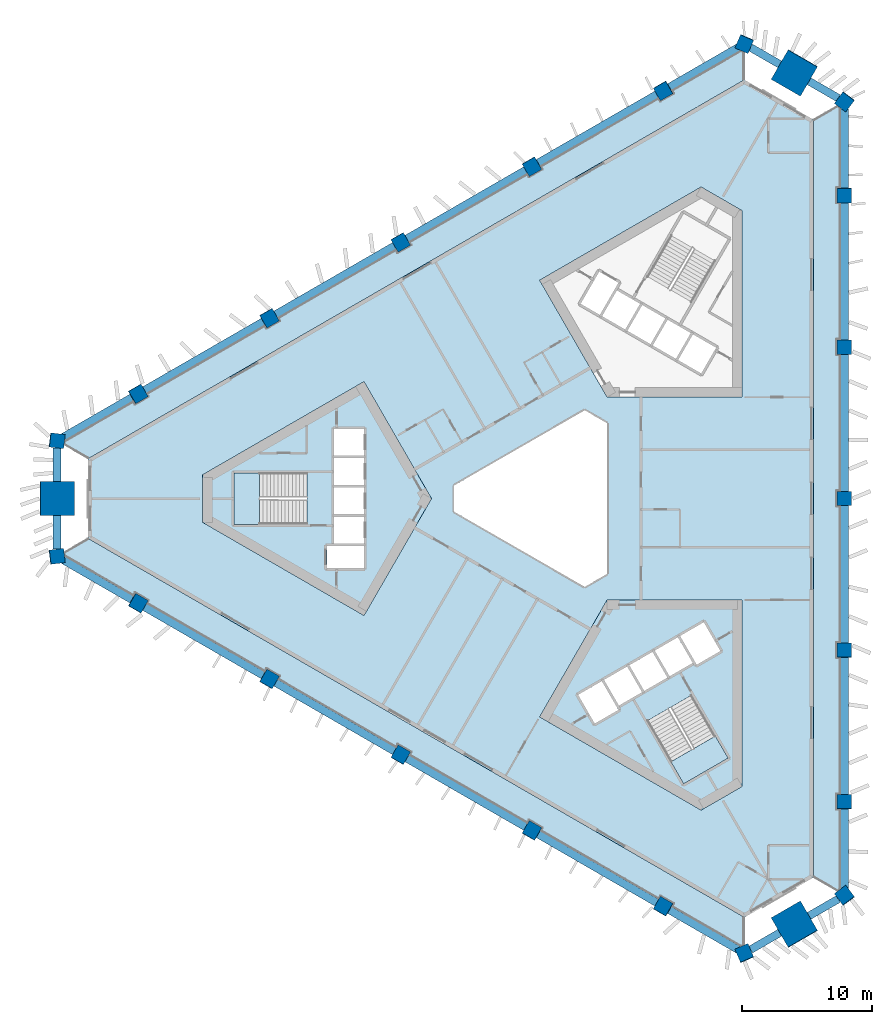
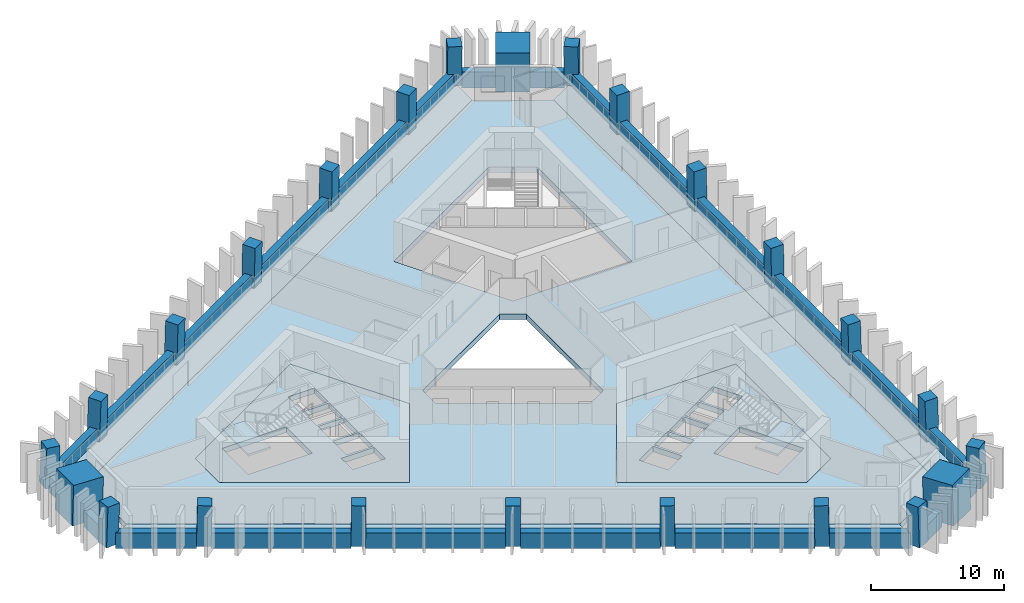
# One storey, part 1 of 9: 24 beams, 24 columns, 8 slabs, 2 elements without a shape of their own.
"""IFC4 building model written with IfcOpenShell, lengths in metres."""

from ifc_helpers import new_model, si_unit, direction, frame, origin, origin_2d, place, context, subcontext, project, spatial, polyline, rectangle, outline, extrude, material, layer, layer_set, material_profile, profile_set, type_object, element, aggregate, save


model = new_model("IFC4")

# Units and contexts
model_context = context("Model", 3, precision=1e-05, world=origin(), true_north=direction((0.0, 1.0)))
body_context = subcontext(model_context, "Body", "Model", "MODEL_VIEW")
ifc_project = project(units=[si_unit("LENGTHUNIT", "METRE"), si_unit("AREAUNIT", "SQUARE_METRE"), si_unit("VOLUMEUNIT", "CUBIC_METRE"), si_unit("PLANEANGLEUNIT", "RADIAN"), si_unit("MASSUNIT", "GRAM", prefix="KILO")], contexts=[model_context])

# Site, building, storey
site_placement = place(None, origin())
site = spatial("IfcSite", under=ifc_project, at=site_placement, CompositionType="ELEMENT")
building_placement = place(site_placement, origin())
building = spatial("IfcBuilding", under=site, at=building_placement, Name="Jabali Bay Hotel Tower and Convention Centre", CompositionType="ELEMENT")
storey_placement = place(building_placement, frame((0.0, 0.0, 94.300048828125)))
storey = spatial("IfcBuildingStorey", under=building, at=storey_placement, Name="L22", CompositionType="ELEMENT", Elevation=94.300048828125)

# Columns
ifc_material_1 = material(Name="Concrete C60", Category="concrete")
ifc_material_profile_1 = material_profile(ifc_material_1, rectangle(XDim=1.10009765625, YDim=1.10009765625, at=origin_2d()), Name="Frame column 1100")
ifc_profile_set_1 = profile_set([ifc_material_profile_1], Name="Concrete C60")
column_type_1 = type_object("IfcColumnType", Name="Frame column 1100", PredefinedType="COLUMN", material=ifc_profile_set_1)
column_1_placement = place(storey_placement, frame((83.81005859375, 111.35791015625, 0.0), z_axis=(-0.00837646992, -0.028097450282, 0.999570091609), x_axis=(0.86617163682, 0.499292783589, 0.021293469065)))
element("IfcColumn", 1, at=column_1_placement, inside=storey, type_object=column_type_1, Name="FC2 F1.1 L22", PredefinedType="COLUMN", context=body_context, shape_type="SweptSolid", body=[
    extrude(rectangle(XDim=1.10009765625, YDim=1.10009765625, at=origin_2d()), origin(), (0.0, 0.0, 1.0), 3.70166015625),
])
column_2_placement = place(storey_placement, frame((73.717041015625, 105.53076171875, 0.0), z_axis=(0.000857580205, -0.022758859284, 0.9997406158), x_axis=(0.866011739863, 0.499910502484, 0.010637477449)))
element("IfcColumn", 2, at=column_2_placement, inside=storey, type_object=column_type_1, Name="FC2 F1.2 L22", PredefinedType="COLUMN", context=body_context, shape_type="SweptSolid", body=[
    extrude(rectangle(XDim=1.10009765625, YDim=1.10009765625, at=origin_2d()), origin(), (0.0, 0.0, 1.0), 3.700927734375),
])
column_3_placement = place(storey_placement, frame((63.6240234375, 99.70361328125, 0.0), z_axis=(0.010093620709, -0.017482414954, 0.999796221231), x_axis=(-0.499887049639, 0.865855312158, 0.020187025821)))
element("IfcColumn", 3, at=column_3_placement, inside=storey, type_object=column_type_1, Name="FC2 F1.3 L22", PredefinedType="COLUMN", context=body_context, shape_type="SweptSolid", body=[
    extrude(rectangle(XDim=1.10009765625, YDim=1.10009765625, at=origin_2d()), origin(), (0.0, 0.0, 1.0), 3.70068359375),
])
column_4_placement = place(storey_placement, frame((53.53125, 93.87646484375, 0.0), z_axis=(0.019262573858, -0.012138060239, 0.999740776773), x_axis=(-0.498875311913, 0.866439920689, 0.020131741108)))
element("IfcColumn", 4, at=column_4_placement, inside=storey, type_object=column_type_1, Name="FC2 F1.4 L22", PredefinedType="COLUMN", context=body_context, shape_type="SweptSolid", body=[
    extrude(rectangle(XDim=1.10009765625, YDim=1.10009765625, at=origin_2d()), origin(), (0.0, 0.0, 1.0), 3.700927734375),
])
for number, where, z_axis, x_axis, name in (
    (5, (43.438232421875, 88.04931640625, 0.0), (0.02855911485, -0.006793507689, 0.999569019734), (-0.500405785832, 0.865555785013, 0.020180003373), "FC2 F1.5 L22"),
    (6, (43.438232421875, 71.95068359375, 0.0), (0.02855911485, 0.006793507689, 0.999569019734), (-0.865319840559, 0.500766443848, 0.021319996519), "FC2 F2.1 L22"),
):
    element("IfcColumn", number, at=place(storey_placement, frame(where, z_axis=z_axis, x_axis=x_axis)), inside=storey, type_object=column_type_1, Name=name, PredefinedType="COLUMN", context=body_context, shape_type="SweptSolid", body=[
        extrude(rectangle(XDim=1.10009765625, YDim=1.10009765625, at=origin_2d()), origin(), (0.0, 0.0, 1.0), 3.70166015625),
    ])
column_5_placement = place(storey_placement, frame((53.53125, 66.12353515625, 0.0), z_axis=(0.019262573858, 0.012138060239, 0.999740776773), x_axis=(-0.866459679623, 0.499133780995, 0.010634484378)))
element("IfcColumn", 7, at=column_5_placement, inside=storey, type_object=column_type_1, Name="FC2 F2.2 L22", PredefinedType="COLUMN", context=body_context, shape_type="SweptSolid", body=[
    extrude(rectangle(XDim=1.10009765625, YDim=1.10009765625, at=origin_2d()), origin(), (0.0, 0.0, 1.0), 3.700927734375),
])
column_6_placement = place(storey_placement, frame((63.6240234375, 60.29638671875, 0.0), z_axis=(0.010093620709, 0.017482414954, 0.999796221231), x_axis=(-0.86603178719, 0.499988943453, 3.82278e-07)))
element("IfcColumn", 8, at=column_6_placement, inside=storey, type_object=column_type_1, Name="FC2 F2.3 L22", PredefinedType="COLUMN", context=body_context, shape_type="SweptSolid", body=[
    extrude(rectangle(XDim=1.10009765625, YDim=1.10009765625, at=origin_2d()), origin(), (0.0, 0.0, 1.0), 3.70068359375),
])
column_7_placement = place(storey_placement, frame((73.717041015625, 54.46923828125, 0.0), z_axis=(0.000857580205, 0.022758859284, 0.9997406158), x_axis=(-0.500022930451, -0.86577798761, 0.020138152677)))
element("IfcColumn", 9, at=column_7_placement, inside=storey, type_object=column_type_1, Name="FC2 F2.4 L22", PredefinedType="COLUMN", context=body_context, shape_type="SweptSolid", body=[
    extrude(rectangle(XDim=1.10009765625, YDim=1.10009765625, at=origin_2d()), origin(), (0.0, 0.0, 1.0), 3.700927734375),
])
for number, where, z_axis, x_axis, name in (
    (10, (83.81005859375, 48.64208984375, 0.0), (-0.00837646992, 0.028097450282, 0.999570091609), (-0.49967642562, -0.865977626468, 0.020154903518), "FC2 F2.5 L22"),
    (11, (97.751953125, 56.69140625, 0.0), (-0.020182659751, 0.021303918626, 0.999569308901), (0.000228267203, -0.99977282903, 0.021312865295), "FC2 F0.1 L22"),
):
    element("IfcColumn", number, at=place(storey_placement, frame(where, z_axis=z_axis, x_axis=x_axis)), inside=storey, type_object=column_type_1, Name=name, PredefinedType="COLUMN", context=body_context, shape_type="SweptSolid", body=[
        extrude(rectangle(XDim=1.10009765625, YDim=1.10009765625, at=origin_2d()), origin(), (0.0, 0.0, 1.0), 3.70166015625),
    ])
column_8_placement = place(storey_placement, frame((97.751953125, 68.345703125, 0.0), z_axis=(-0.020186088539, 0.010686752756, 0.999739123544), x_axis=(-0.001012906877, -0.999942577175, 0.010668475618)))
element("IfcColumn", 12, at=column_8_placement, inside=storey, type_object=column_type_1, Name="FC2 F0.2 L22", PredefinedType="COLUMN", context=body_context, shape_type="SweptSolid", body=[
    extrude(rectangle(XDim=1.10009765625, YDim=1.10009765625, at=origin_2d()), origin(), (0.0, 0.0, 1.0), 3.700927734375),
])
column_9_placement = place(storey_placement, frame((97.751953125, 80.0, 0.0), z_axis=(-0.020187241331, 0.0, 0.99979621688), x_axis=(0.0, -1.0, 0.0)))
element("IfcColumn", 13, at=column_9_placement, inside=storey, type_object=column_type_1, Name="FC2 F0.3 L22", PredefinedType="COLUMN", context=body_context, shape_type="SweptSolid", body=[
    extrude(rectangle(XDim=1.10009765625, YDim=1.10009765625, at=origin_2d()), origin(), (0.0, 0.0, 1.0), 3.70068359375),
])
column_10_placement = place(storey_placement, frame((97.751953125, 91.654296875, 0.0), z_axis=(-0.020186088539, -0.010686752756, 0.999739123544), x_axis=(0.999795727061, 0.00079728784, 0.020195754082)))
element("IfcColumn", 14, at=column_10_placement, inside=storey, type_object=column_type_1, Name="FC2 F0.4 L22", PredefinedType="COLUMN", context=body_context, shape_type="SweptSolid", body=[
    extrude(rectangle(XDim=1.10009765625, YDim=1.10009765625, at=origin_2d()), origin(), (0.0, 0.0, 1.0), 3.700927734375),
])
column_11_placement = place(storey_placement, frame((97.751953125, 103.30859375, 0.0), z_axis=(-0.020182659751, -0.021303918626, 0.999569308901), x_axis=(0.999796283319, -0.000658319199, 0.020173211851)))
element("IfcColumn", 15, at=column_11_placement, inside=storey, type_object=column_type_1, Name="FC2 F0.5 L22", PredefinedType="COLUMN", context=body_context, shape_type="SweptSolid", body=[
    extrude(rectangle(XDim=1.10009765625, YDim=1.10009765625, at=origin_2d()), origin(), (0.0, 0.0, 1.0), 3.70166015625),
])
for number, where, z_axis, x_axis, name in (
    (16, (97.751953125, 49.4814453125, 0.0), (-0.020178741915, 0.029015184452, 0.999375273581), (-0.80183144916, -0.59754914809, 0.001158772796), "FC2 V0 L22"),
    (17, (97.751953125, 110.5185546875, 0.0), (-0.020178741915, -0.029015184452, 0.999375273581), (0.597209465357, 0.801307141294, 0.035323077438), "FC2 V1 L22"),
    (18, (90.053955078125, 114.962890625, 0.0), (-0.015035141917, -0.031982648376, 0.99937533225), (0.918441462125, -0.395555227526, 0.001158717784), "FC2 V2 L22"),
    (19, (37.1943359375, 84.4443359375, 0.0), (0.035148025093, -0.002967469286, 0.999377711608), (-0.9925416913, 0.116696780483, 0.035254112609), "FC2 V3 L22"),
    (20, (37.1943359375, 75.5556640625, 0.0), (0.035148025093, 0.002967469286, 0.999377711608), (-0.116728776928, 0.993163156561, 0.001156324385), "FC2 V4 L22"),
    (21, (90.053955078125, 45.037109375, 0.0), (-0.015035141917, 0.031982648376, 0.99937533225), (0.395271078068, -0.91788516285, 0.035321419319), "FC2 V5 L22"),
):
    element("IfcColumn", number, at=place(storey_placement, frame(where, z_axis=z_axis, x_axis=x_axis)), inside=storey, type_object=column_type_1, Name=name, PredefinedType="COLUMN", context=body_context, shape_type="SweptSolid", body=[
        extrude(rectangle(XDim=1.10009765625, YDim=1.10009765625, at=origin_2d()), origin(), (0.0, 0.0, 1.0), 3.7021484375),
    ])
ifc_material_2 = material(Name="Concrete C70", Category="concrete")
ifc_material_profile_2 = material_profile(ifc_material_2, rectangle(XDim=2.60009765625, YDim=2.60009765625, at=origin_2d()), Name="Mega column 2600")
ifc_profile_set_2 = profile_set([ifc_material_profile_2], Name="Concrete C70")
column_type_2 = type_object("IfcColumnType", Name="Mega column 2600", PredefinedType="COLUMN", material=ifc_profile_set_2)
for number, where, z_axis, x_axis, name in (
    (22, (93.90283203125, 112.74072265625, 0.0), (-0.017607037296, -0.030466109479, 0.999380712447), (0.500064653071, 0.865272876704, 0.035187946645), "MC2 M1 L22"),
    (23, (37.1943359375, 80.0, 0.0), (0.035148179849, 0.0, 0.999382111834), (0.0, 1.0, 0.0), "MC2 M0 L22"),
    (24, (93.90283203125, 47.25927734375, 0.0), (-0.017607037296, 0.030466109479, 0.999380712447), (0.500061328599, -0.865274797998, 0.035187946645), "MC2 M2 L22"),
):
    element("IfcColumn", number, at=place(storey_placement, frame(where, z_axis=z_axis, x_axis=x_axis)), inside=storey, type_object=column_type_2, Name=name, PredefinedType="COLUMN", context=body_context, shape_type="SweptSolid", body=[
        extrude(rectangle(XDim=2.60009765625, YDim=2.60009765625, at=origin_2d()), origin(), (0.0, 0.0, 1.0), 3.7021484375),
    ])

# Beams
ifc_material_profile_3 = material_profile(ifc_material_1, rectangle(XDim=0.60009765625, YDim=1.449951171875, at=origin_2d()), Name="Spandrel 600x1450")
ifc_profile_set_3 = profile_set([ifc_material_profile_3], Name="Concrete C60")
beam_type = type_object("IfcBeamType", Name="Spandrel 600x1450", PredefinedType="SPANDREL", material=ifc_profile_set_3)
beam_1_placement = place(storey_placement, frame((92.7705078125, 113.37939453125, 0.375), z_axis=(-0.866027243369, 0.499996813733, 0.0), x_axis=(-0.499996813733, -0.866027243369, 0.0)))
element("IfcBeam", 25, at=beam_1_placement, inside=storey, type_object=beam_type, Name="Spandrel M1-V2 L22", PredefinedType="SPANDREL", context=body_context, shape_type="SweptSolid", body=[
    extrude(rectangle(XDim=0.60009765625, YDim=1.449951171875, at=origin_2d()), origin(), (0.0, 0.0, 1.0), 2.59326171875),
])
beam_2_placement = place(storey_placement, frame((89.572021484375, 114.676025390625, 0.375), z_axis=(-0.866027807905, -0.499995835917, 0.0), x_axis=(0.499995835917, -0.866027807905, 0.0)))
element("IfcBeam", 26, at=beam_2_placement, inside=storey, type_object=beam_type, Name="Spandrel V2-F1.1 L22", PredefinedType="SPANDREL", context=body_context, shape_type="SweptSolid", body=[
    extrude(rectangle(XDim=0.60009765625, YDim=1.449951171875, at=origin_2d()), origin(), (0.0, 0.0, 1.0), 6.10693359375),
])
beam_3_placement = place(storey_placement, frame((83.33056640625, 111.072509765625, 0.375), z_axis=(-0.866028748712, -0.499994206371, 0.0), x_axis=(0.499994206371, -0.866028748712, 0.0)))
element("IfcBeam", 27, at=beam_3_placement, inside=storey, type_object=beam_type, Name="Spandrel F1.1-F1.2 L22", PredefinedType="SPANDREL", context=body_context, shape_type="SweptSolid", body=[
    extrude(rectangle(XDim=0.60009765625, YDim=1.449951171875, at=origin_2d()), origin(), (0.0, 0.0, 1.0), 10.550537109375),
])
beam_4_placement = place(storey_placement, frame((73.240966796875, 105.247314453125, 0.375), z_axis=(-0.866022963577, -0.500004226539, 0.0), x_axis=(0.500004226539, -0.866022963577, 0.0)))
element("IfcBeam", 28, at=beam_4_placement, inside=storey, type_object=beam_type, Name="Spandrel F1.2-F1.3 L22", PredefinedType="SPANDREL", context=body_context, shape_type="SweptSolid", body=[
    extrude(rectangle(XDim=0.60009765625, YDim=1.449951171875, at=origin_2d()), origin(), (0.0, 0.0, 1.0), 10.55029296875),
])
beam_5_placement = place(storey_placement, frame((63.151611328125, 99.422119140625, 0.375), z_axis=(-0.866028748712, -0.499994206371, 0.0), x_axis=(0.499994206371, -0.866028748712, 0.0)))
element("IfcBeam", 29, at=beam_5_placement, inside=storey, type_object=beam_type, Name="Spandrel F1.3-F1.4 L22", PredefinedType="SPANDREL", context=body_context, shape_type="SweptSolid", body=[
    extrude(rectangle(XDim=0.60009765625, YDim=1.449951171875, at=origin_2d()), origin(), (0.0, 0.0, 1.0), 10.550537109375),
])
beam_6_placement = place(storey_placement, frame((53.06201171875, 93.596923828125, 0.375), z_axis=(-0.866022963577, -0.500004226539, 0.0), x_axis=(0.500004226539, -0.866022963577, 0.0)))
element("IfcBeam", 30, at=beam_6_placement, inside=storey, type_object=beam_type, Name="Spandrel F1.4-F1.5 L22", PredefinedType="SPANDREL", context=body_context, shape_type="SweptSolid", body=[
    extrude(rectangle(XDim=0.60009765625, YDim=1.449951171875, at=origin_2d()), origin(), (0.0, 0.0, 1.0), 10.55029296875),
])
beam_7_placement = place(storey_placement, frame((42.97265625, 87.771728515625, 0.375), z_axis=(-0.866027807905, -0.499995835917, 0.0), x_axis=(0.499995835917, -0.866027807905, 0.0)))
element("IfcBeam", 31, at=beam_7_placement, inside=storey, type_object=beam_type, Name="Spandrel F1.5-V3 L22", PredefinedType="SPANDREL", context=body_context, shape_type="SweptSolid", body=[
    extrude(rectangle(XDim=0.60009765625, YDim=1.449951171875, at=origin_2d()), origin(), (0.0, 0.0, 1.0), 6.10693359375),
])
for number, where, z_axis, x_axis, name in (
    (32, (37.20751953125, 83.893310546875, 0.375), (0.0, -1.0, 0.0), (1.0, 0.0, 0.0), "Spandrel V3-M0 L22"),
    (33, (37.20751953125, 78.699951171875, 0.375), (0.0, -1.0, 0.0), (1.0, 0.0, 0.0), "Spandrel M0-V4 L22"),
):
    element("IfcBeam", number, at=place(storey_placement, frame(where, z_axis=z_axis, x_axis=x_axis)), inside=storey, type_object=beam_type, Name=name, PredefinedType="SPANDREL", context=body_context, shape_type="SweptSolid", body=[
        extrude(rectangle(XDim=0.60009765625, YDim=1.449951171875, at=origin_2d()), origin(), (0.0, 0.0, 1.0), 2.59326171875),
    ])
beam_8_placement = place(storey_placement, frame((37.683837890625, 75.28173828125, 0.375), z_axis=(0.866027807905, -0.499995835917, 0.0), x_axis=(0.499995835917, 0.866027807905, 0.0)))
element("IfcBeam", 34, at=beam_8_placement, inside=storey, type_object=beam_type, Name="Spandrel V4-F2.1 L22", PredefinedType="SPANDREL", context=body_context, shape_type="SweptSolid", body=[
    extrude(rectangle(XDim=0.60009765625, YDim=1.449951171875, at=origin_2d()), origin(), (0.0, 0.0, 1.0), 6.10693359375),
])
beam_9_placement = place(storey_placement, frame((43.92529296875, 71.67822265625, 0.375), z_axis=(0.866022963577, -0.500004226539, 0.0), x_axis=(0.500004226539, 0.866022963577, 0.0)))
element("IfcBeam", 35, at=beam_9_placement, inside=storey, type_object=beam_type, Name="Spandrel F2.1-F2.2 L22", PredefinedType="SPANDREL", context=body_context, shape_type="SweptSolid", body=[
    extrude(rectangle(XDim=0.60009765625, YDim=1.449951171875, at=origin_2d()), origin(), (0.0, 0.0, 1.0), 10.55029296875),
])
beam_10_placement = place(storey_placement, frame((54.0146484375, 65.85302734375, 0.375), z_axis=(0.866028748712, -0.499994206371, 0.0), x_axis=(0.499994206371, 0.866028748712, 0.0)))
element("IfcBeam", 36, at=beam_10_placement, inside=storey, type_object=beam_type, Name="Spandrel F2.2-F2.3 L22", PredefinedType="SPANDREL", context=body_context, shape_type="SweptSolid", body=[
    extrude(rectangle(XDim=0.60009765625, YDim=1.449951171875, at=origin_2d()), origin(), (0.0, 0.0, 1.0), 10.550537109375),
])
beam_11_placement = place(storey_placement, frame((64.104248046875, 60.02783203125, 0.375), z_axis=(0.866022963577, -0.500004226539, 0.0), x_axis=(0.500004226539, 0.866022963577, 0.0)))
element("IfcBeam", 37, at=beam_11_placement, inside=storey, type_object=beam_type, Name="Spandrel F2.3-F2.4 L22", PredefinedType="SPANDREL", context=body_context, shape_type="SweptSolid", body=[
    extrude(rectangle(XDim=0.60009765625, YDim=1.449951171875, at=origin_2d()), origin(), (0.0, 0.0, 1.0), 10.55029296875),
])
beam_12_placement = place(storey_placement, frame((74.193603515625, 54.20263671875, 0.375), z_axis=(0.866028748712, -0.499994206371, 0.0), x_axis=(0.499994206371, 0.866028748712, 0.0)))
element("IfcBeam", 38, at=beam_12_placement, inside=storey, type_object=beam_type, Name="Spandrel F2.4-F2.5 L22", PredefinedType="SPANDREL", context=body_context, shape_type="SweptSolid", body=[
    extrude(rectangle(XDim=0.60009765625, YDim=1.449951171875, at=origin_2d()), origin(), (0.0, 0.0, 1.0), 10.550537109375),
])
beam_13_placement = place(storey_placement, frame((84.283203125, 48.37744140625, 0.375), z_axis=(0.866027807905, -0.499995835917, 0.0), x_axis=(0.499995835917, 0.866027807905, 0.0)))
element("IfcBeam", 39, at=beam_13_placement, inside=storey, type_object=beam_type, Name="Spandrel F2.5-V5 L22", PredefinedType="SPANDREL", context=body_context, shape_type="SweptSolid", body=[
    extrude(rectangle(XDim=0.60009765625, YDim=1.449951171875, at=origin_2d()), origin(), (0.0, 0.0, 1.0), 6.10693359375),
])
for number, where, z_axis, x_axis, name in (
    (40, (90.524658203125, 45.323974609375, 0.375), (0.866027243369, 0.499996813733, 0.0), (-0.499996813733, 0.866027243369, 0.0), "Spandrel V5-M2 L22"),
    (41, (95.022216796875, 47.920654296875, 0.375), (0.866027243369, 0.499996813733, 0.0), (-0.499996813733, 0.866027243369, 0.0), "Spandrel M2-V0 L22"),
):
    element("IfcBeam", number, at=place(storey_placement, frame(where, z_axis=z_axis, x_axis=x_axis)), inside=storey, type_object=beam_type, Name=name, PredefinedType="SPANDREL", context=body_context, shape_type="SweptSolid", body=[
        extrude(rectangle(XDim=0.60009765625, YDim=1.449951171875, at=origin_2d()), origin(), (0.0, 0.0, 1.0), 2.59326171875),
    ])
beam_14_placement = place(storey_placement, frame((97.744384765625, 50.042236328125, 0.375), z_axis=(0.0, 1.0, 0.0), x_axis=(-1.0, 0.0, 0.0)))
element("IfcBeam", 42, at=beam_14_placement, inside=storey, type_object=beam_type, Name="Spandrel V0-F0.1 L22", PredefinedType="SPANDREL", context=body_context, shape_type="SweptSolid", body=[
    extrude(rectangle(XDim=0.60009765625, YDim=1.449951171875, at=origin_2d()), origin(), (0.0, 0.0, 1.0), 6.107177734375),
])
for number, where, z_axis, x_axis, name in (
    (43, (97.744384765625, 57.249267578125, 0.375), (0.0, 1.0, 0.0), (-1.0, 0.0, 0.0), "Spandrel F0.1-F0.2 L22"),
    (44, (97.744384765625, 68.899658203125, 0.375), (0.0, 1.0, 0.0), (-1.0, 0.0, 0.0), "Spandrel F0.2-F0.3 L22"),
    (45, (97.744384765625, 80.550048828125, 0.375), (0.0, 1.0, 0.0), (-1.0, 0.0, 0.0), "Spandrel F0.3-F0.4 L22"),
    (46, (97.744384765625, 92.200439453125, 0.375), (0.0, 1.0, 0.0), (-1.0, 0.0, 0.0), "Spandrel F0.4-F0.5 L22"),
):
    element("IfcBeam", number, at=place(storey_placement, frame(where, z_axis=z_axis, x_axis=x_axis)), inside=storey, type_object=beam_type, Name=name, PredefinedType="SPANDREL", context=body_context, shape_type="SweptSolid", body=[
        extrude(rectangle(XDim=0.60009765625, YDim=1.449951171875, at=origin_2d()), origin(), (0.0, 0.0, 1.0), 10.55029296875),
    ])
beam_15_placement = place(storey_placement, frame((97.744384765625, 103.8505859375, 0.375), z_axis=(0.0, 1.0, 0.0), x_axis=(-1.0, 0.0, 0.0)))
element("IfcBeam", 47, at=beam_15_placement, inside=storey, type_object=beam_type, Name="Spandrel F0.5-V1 L22", PredefinedType="SPANDREL", context=body_context, shape_type="SweptSolid", body=[
    extrude(rectangle(XDim=0.60009765625, YDim=1.449951171875, at=origin_2d()), origin(), (0.0, 0.0, 1.0), 6.107177734375),
])
beam_16_placement = place(storey_placement, frame((97.26806640625, 110.78271484375, 0.375), z_axis=(-0.866027243369, 0.499996813733, 0.0), x_axis=(-0.499996813733, -0.866027243369, 0.0)))
element("IfcBeam", 48, at=beam_16_placement, inside=storey, type_object=beam_type, Name="Spandrel V1-M1 L22", PredefinedType="SPANDREL", context=body_context, shape_type="SweptSolid", body=[
    extrude(rectangle(XDim=0.60009765625, YDim=1.449951171875, at=origin_2d()), origin(), (0.0, 0.0, 1.0), 2.59326171875),
])

# Slabs
ifc_material_3 = material(Name="Concrete C40", Category="concrete")
ifc_layer_1 = layer(ifc_material_3, 0.5)
ifc_layer_set_1 = layer_set([ifc_layer_1], Name="Concrete C40")
slab_type_1 = type_object("IfcSlabType", Name="Core floor slab 500", PredefinedType="FLOOR", material=ifc_layer_set_1)
slab_1_placement = place(storey_placement, frame((0.0, 0.0, -0.5)))
element("IfcSlab", 49, at=slab_1_placement, inside=storey, type_object=slab_type_1, Name="Core floor slab 1 L22", PredefinedType="FLOOR", context=body_context, shape_type="SweptSolid", body=[
    extrude(outline(polyline([(66.0, 80.0), (60.81005859375, 88.9892578125), (48.39697265625, 81.82275390625), (48.39697265625, 78.17724609375), (60.81005859375, 71.0107421875), (66.0, 80.0)]), holes=[polyline([(60.800048828125, 74.64990234375), (60.800048828125, 76.35009765625), (57.949951171875, 76.35009765625), (57.949951171875, 74.64990234375), (60.800048828125, 74.64990234375)]), polyline([(58.52001953125, 76.550048828125), (60.800048828125, 76.550048828125), (60.800048828125, 78.60009765625), (58.52001953125, 78.60009765625), (58.52001953125, 76.550048828125)]), polyline([(58.52001953125, 78.800048828125), (60.800048828125, 78.800048828125), (60.800048828125, 80.85009765625), (58.52001953125, 80.85009765625), (58.52001953125, 78.800048828125)]), polyline([(56.409912109375, 81.97509765625), (50.820068359375, 81.97509765625), (50.820068359375, 78.02490234375), (56.409912109375, 78.02490234375), (56.409912109375, 81.97509765625)]), polyline([(58.52001953125, 81.050048828125), (60.800048828125, 81.050048828125), (60.800048828125, 83.10009765625), (58.52001953125, 83.10009765625), (58.52001953125, 81.050048828125)]), polyline([(58.52001953125, 83.300048828125), (60.800048828125, 83.300048828125), (60.800048828125, 85.35009765625), (58.52001953125, 85.35009765625), (58.52001953125, 83.300048828125)])]), origin(), (0.0, 0.0, 1.0), 0.5),
])
slab_2_placement = place(storey_placement, frame((0.0, 0.0, -0.5)))
element("IfcSlab", 50, at=slab_2_placement, inside=storey, type_object=slab_type_1, Name="Core floor slab 3 L22", PredefinedType="FLOOR", context=body_context, shape_type="SweptSolid", body=[
    extrude(outline(polyline([(79.5, 72.205810546875), (74.31005859375, 63.21630859375), (86.72314453125, 56.0498046875), (89.8798828125, 57.872314453125), (89.8798828125, 72.205810546875), (79.5, 72.205810546875)]), holes=[polyline([(82.584716796875, 62.9130859375), (85.379638671875, 58.072021484375), (88.80029296875, 60.047119140625), (86.00537109375, 64.88818359375), (82.584716796875, 62.9130859375)]), polyline([(80.365478515625, 63.756591796875), (79.090576171875, 65.96484375), (77.27197265625, 64.9150390625), (78.546875, 62.70654296875), (80.365478515625, 63.756591796875)]), polyline([(82.17919921875, 65.115478515625), (81.0390625, 67.08984375), (79.263671875, 66.06494140625), (80.40380859375, 64.09033203125), (82.17919921875, 65.115478515625)]), polyline([(82.98779296875, 68.21484375), (81.21240234375, 67.18994140625), (82.352294921875, 65.21533203125), (84.127685546875, 66.240478515625), (82.98779296875, 68.21484375)]), polyline([(86.076171875, 67.365478515625), (84.936279296875, 69.33984375), (83.160888671875, 68.31494140625), (84.30078125, 66.34033203125), (86.076171875, 67.365478515625)]), polyline([(88.203125, 68.281494140625), (86.927978515625, 70.489990234375), (85.109375, 69.43994140625), (86.384521484375, 67.231689453125), (88.203125, 68.281494140625)])]), origin(), (0.0, 0.0, 1.0), 0.5),
])
ifc_layer_2 = layer(ifc_material_3, 0.199951171875)
ifc_layer_set_2 = layer_set([ifc_layer_2], Name="Concrete C40")
slab_type_2 = type_object("IfcSlabType", Name="Loggia slab 200", PredefinedType="FLOOR", material=ifc_layer_set_2)
slab_3_placement = place(storey_placement, frame((0.0, 0.0, -0.199951171875)))
element("IfcSlab", 51, at=slab_3_placement, inside=storey, type_object=slab_type_2, Name="Loggia slab east face L22", PredefinedType="FLOOR", context=body_context, shape_type="SweptSolid", body=[
    extrude(outline(polyline([(95.351806640625, 109.1328125), (97.233154296875, 110.21923828125), (97.451904296875, 110.05615234375), (97.451904296875, 103.858642578125), (97.201904296875, 103.858642578125), (97.201904296875, 102.758544921875), (97.451904296875, 102.758544921875), (97.451904296875, 92.204345703125), (97.201904296875, 92.204345703125), (97.201904296875, 91.104248046875), (97.451904296875, 91.104248046875), (97.451904296875, 80.550048828125), (97.201904296875, 80.550048828125), (97.201904296875, 79.449951171875), (97.451904296875, 79.449951171875), (97.451904296875, 68.895751953125), (97.201904296875, 68.895751953125), (97.201904296875, 67.795654296875), (97.451904296875, 67.795654296875), (97.451904296875, 57.241455078125), (97.201904296875, 57.241455078125), (97.201904296875, 56.141357421875), (97.451904296875, 56.141357421875), (97.451904296875, 49.94384765625), (97.233154296875, 49.78076171875), (95.351806640625, 50.8671875), (95.351806640625, 109.1328125)])), origin(), (0.0, 0.0, 1.0), 0.199951171875),
])
slab_4_placement = place(storey_placement, frame((0.0, 0.0, -0.199951171875)))
element("IfcSlab", 52, at=slab_4_placement, inside=storey, type_object=slab_type_2, Name="Loggia slab north-west face L22", PredefinedType="FLOOR", context=body_context, shape_type="SweptSolid", body=[
    extrude(outline(polyline([(39.59423828125, 83.058837890625), (37.712890625, 84.14501953125), (37.74462890625, 84.415771484375), (43.11181640625, 87.5146484375), (43.23681640625, 87.298095703125), (44.189453125, 87.84814453125), (44.064453125, 88.064453125), (53.204833984375, 93.341796875), (53.329833984375, 93.125244140625), (54.282470703125, 93.67529296875), (54.157470703125, 93.8916015625), (63.2978515625, 99.1689453125), (63.4228515625, 98.952392578125), (64.37548828125, 99.50244140625), (64.25048828125, 99.718994140625), (73.390625, 104.99609375), (73.515625, 104.779541015625), (74.46826171875, 105.32958984375), (74.34326171875, 105.546142578125), (83.483642578125, 110.8232421875), (83.608642578125, 110.606689453125), (84.561279296875, 111.15673828125), (84.436279296875, 111.373291015625), (89.803466796875, 114.471923828125), (90.053955078125, 114.3642578125), (90.053955078125, 112.191650390625), (39.59423828125, 83.058837890625)])), origin(), (0.0, 0.0, 1.0), 0.199951171875),
])
slab_5_placement = place(storey_placement, frame((0.0, 0.0, -0.199951171875)))
element("IfcSlab", 53, at=slab_5_placement, inside=storey, type_object=slab_type_2, Name="Loggia slab south-west face L22", PredefinedType="FLOOR", context=body_context, shape_type="SweptSolid", body=[
    extrude(outline(polyline([(90.053955078125, 47.808349609375), (90.053955078125, 45.6357421875), (89.803466796875, 45.528076171875), (84.436279296875, 48.626708984375), (84.561279296875, 48.84326171875), (83.608642578125, 49.393310546875), (83.483642578125, 49.1767578125), (74.34326171875, 54.453857421875), (74.46826171875, 54.67041015625), (73.515625, 55.220458984375), (73.390625, 55.00390625), (64.25048828125, 60.281005859375), (64.37548828125, 60.49755859375), (63.4228515625, 61.047607421875), (63.2978515625, 60.8310546875), (54.157470703125, 66.1083984375), (54.282470703125, 66.32470703125), (53.329833984375, 66.874755859375), (53.204833984375, 66.658203125), (44.064453125, 71.935546875), (44.189453125, 72.15185546875), (43.23681640625, 72.701904296875), (43.11181640625, 72.4853515625), (37.74462890625, 75.584228515625), (37.712890625, 75.85498046875), (39.59423828125, 76.941162109375), (90.053955078125, 47.808349609375)])), origin(), (0.0, 0.0, 1.0), 0.199951171875),
])
ifc_layer_3 = layer(ifc_material_3, 0.5)
ifc_layer_set_3 = layer_set([ifc_layer_3], Name="Concrete C40")
slab_type_3 = type_object("IfcSlabType", Name="Post-tensioned flat slab 500", PredefinedType="FLOOR", material=ifc_layer_set_3)
slab_6_placement = place(storey_placement, frame((0.0, 0.0, -0.5)))
element("IfcSlab", 54, at=slab_6_placement, inside=storey, type_object=slab_type_3, Name="Floor slab L22", PredefinedType="FLOOR", context=body_context, shape_type="SweptSolid", body=[
    extrude(outline(polyline([(90.053955078125, 112.191650390625), (95.351806640625, 109.1328125), (95.351806640625, 50.8671875), (90.053955078125, 47.808349609375), (39.59423828125, 76.941162109375), (39.59423828125, 83.058837890625), (90.053955078125, 112.191650390625)]), holes=[polyline([(67.73193359375, 79.0), (77.76806640625, 73.205810546875), (79.5, 74.205810546875), (79.5, 85.794189453125), (77.76806640625, 86.794189453125), (67.73193359375, 81.0), (67.73193359375, 79.0)]), polyline([(48.39697265625, 78.17724609375), (60.81005859375, 71.0107421875), (66.0, 80.0), (60.81005859375, 88.9892578125), (48.39697265625, 81.82275390625), (48.39697265625, 78.17724609375)]), polyline([(89.8798828125, 102.127685546875), (86.72314453125, 103.9501953125), (74.31005859375, 96.78369140625), (79.5, 87.794189453125), (89.8798828125, 87.794189453125), (89.8798828125, 102.127685546875)]), polyline([(74.31005859375, 63.21630859375), (86.72314453125, 56.0498046875), (89.8798828125, 57.872314453125), (89.8798828125, 72.205810546875), (79.5, 72.205810546875), (74.31005859375, 63.21630859375)])]), origin(), (0.0, 0.0, 1.0), 0.5),
])

# Stair, slab
stair_type = type_object("IfcStairType", Name="Exit stair 1900", PredefinedType="HALF_TURN_STAIR", material=ifc_material_3)
stair_1_placement = place(storey_placement, origin())
stair_1 = element("IfcStair", 55, at=stair_1_placement, inside=storey, type_object=stair_type, Name="L22 Exit Stair 1", PredefinedType="HALF_TURN_STAIR")
ifc_layer_4 = layer(ifc_material_3, 0.199951171875)
ifc_layer_set_4 = layer_set([ifc_layer_4], Name="Concrete C40")
slab_type_4 = type_object("IfcSlabType", Name="Stair landing 200", PredefinedType="LANDING", material=ifc_layer_set_4)
slab_7_placement = place(storey_placement, frame((0.0, 0.0, 1.64990234375)))
slab_7 = element("IfcSlab", 56, at=slab_7_placement, type_object=slab_type_4, Name="ST1 landing 1", PredefinedType="LANDING", context=body_context, shape_type="SweptSolid", body=[
    extrude(outline(polyline([(52.782958984375, 81.97509765625), (50.820068359375, 81.97509765625), (50.820068359375, 78.02490234375), (52.782958984375, 78.02490234375), (52.782958984375, 81.97509765625)])), origin(), (0.0, 0.0, 1.0), 0.199951171875),
])
aggregate(stair_1, [slab_7])

stair_2_placement = place(storey_placement, origin())
stair_2 = element("IfcStair", 57, at=stair_2_placement, inside=storey, type_object=stair_type, Name="L22 Exit Stair 3", PredefinedType="HALF_TURN_STAIR")
slab_8_placement = place(storey_placement, frame((0.0, 0.0, 1.64990234375)))
slab_8 = element("IfcSlab", 58, at=slab_8_placement, type_object=slab_type_4, Name="ST3 landing 1", PredefinedType="LANDING", context=body_context, shape_type="SweptSolid", body=[
    extrude(outline(polyline([(84.398193359375, 59.77197265625), (85.379638671875, 58.072021484375), (88.80029296875, 60.047119140625), (87.81884765625, 61.7470703125), (84.398193359375, 59.77197265625)])), origin(), (0.0, 0.0, 1.0), 0.199951171875),
])
aggregate(stair_2, [slab_8])

save(model, "model.ifc")
